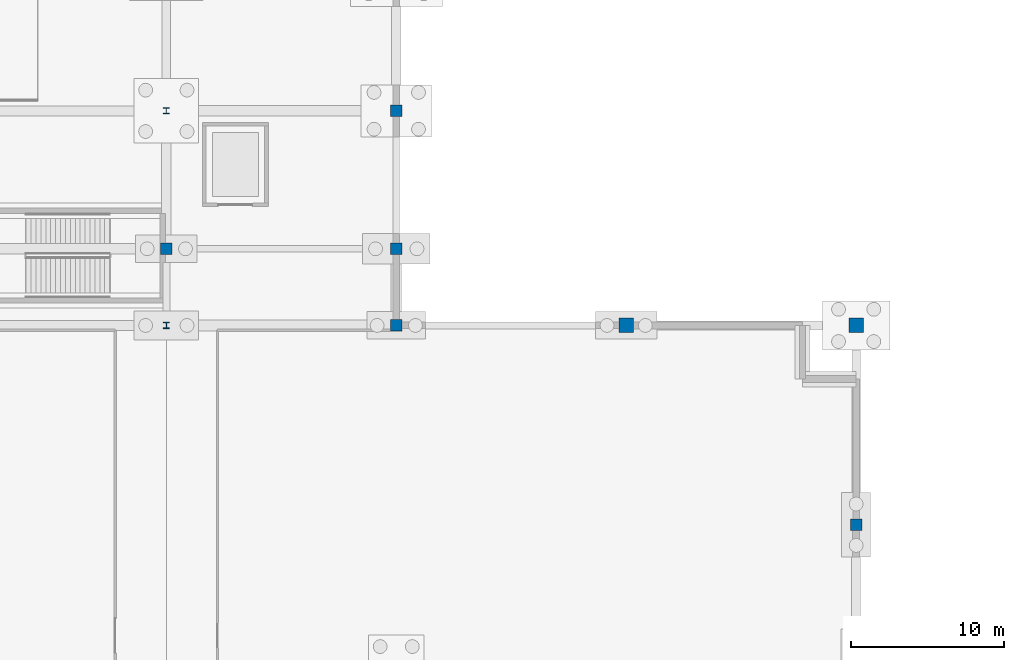
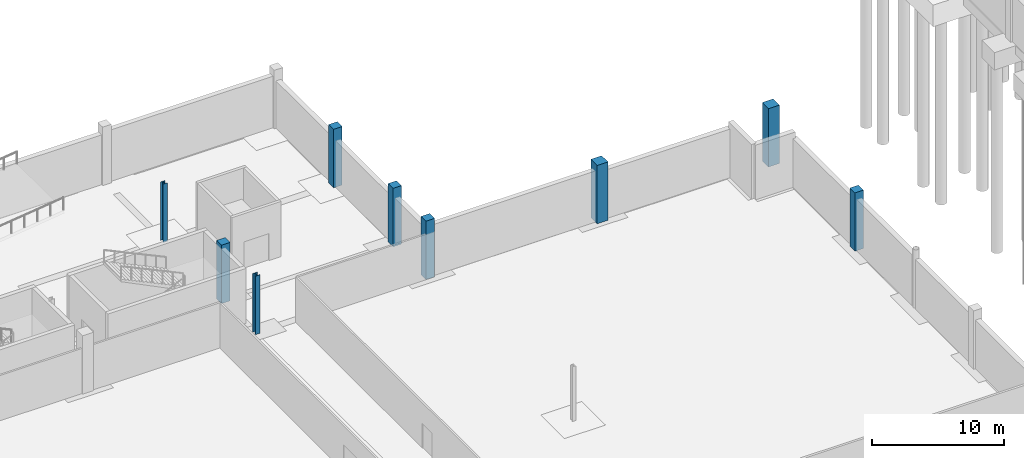
# One storey, part 25 of 58: 9 columns.
"""IFC4 building model written with IfcOpenShell, lengths in metres."""

from ifc_helpers import new_model, si_unit, direction, frame, origin, origin_2d, place, context, subcontext, project, spatial, rectangle, i_section, extrude, material, material_profile, profile_set, type_object, element, save


model = new_model("IFC4")

# Units and contexts
model_context = context("Model", 3, precision=1e-05, world=origin(), true_north=direction((0.0, 1.0)))
body_context = subcontext(model_context, "Body", "Model", "MODEL_VIEW")
ifc_project = project(units=[si_unit("LENGTHUNIT", "METRE"), si_unit("AREAUNIT", "SQUARE_METRE"), si_unit("VOLUMEUNIT", "CUBIC_METRE"), si_unit("PLANEANGLEUNIT", "RADIAN"), si_unit("MASSUNIT", "GRAM", prefix="KILO")], contexts=[model_context])

# Site, building, storey
site_placement = place(None, origin())
site = spatial("IfcSite", under=ifc_project, at=site_placement, CompositionType="ELEMENT")
building_placement = place(site_placement, origin())
building = spatial("IfcBuilding", under=site, at=building_placement, Name="Qamarlyn Nura Convention Centre", CompositionType="ELEMENT")
storey_placement = place(building_placement, frame((0.0, 0.0, -5.39990234375)))
storey = spatial("IfcBuildingStorey", under=building, at=storey_placement, Name="B01", CompositionType="ELEMENT", Elevation=-5.39990234375)

# Columns
ifc_material_1 = material(Name="Concrete C50/60", Category="concrete")
ifc_material_profile_1 = material_profile(ifc_material_1, rectangle(XDim=0.949951171875, YDim=0.949951171875, at=origin_2d()), Name="RC 950x950")
ifc_profile_set_1 = profile_set([ifc_material_profile_1], Name="Concrete C50/60")
column_type_1 = type_object("IfcColumnType", Name="COL-HALL-2", PredefinedType="COLUMN", material=ifc_profile_set_1)
for number, where, z_axis, x_axis, name in (
    (1, (105.0, 103.0, 0.0), (0.0, 0.0, 1.0), (1.0, 0.0, 0.0), "B01 column 8/M"),
    (2, (120.0, 103.0, 0.0), (0.0, 0.0, 1.0), (1.0, 0.0, 0.0), "B01 column 9/M"),
):
    element("IfcColumn", number, at=place(storey_placement, frame(where, z_axis=z_axis, x_axis=x_axis)), inside=storey, type_object=column_type_1, Name=name, PredefinedType="COLUMN", context=body_context, shape_type="SweptSolid", body=[
        extrude(rectangle(XDim=0.949951171875, YDim=0.949951171875, at=origin_2d()), origin(), (0.0, 0.0, 1.0), 5.39990234375),
    ])
ifc_material_2 = material(Name="Steel ASTM A992", Category="steel")
ifc_material_profile_2 = material_profile(ifc_material_2, i_section(OverallWidth=0.408935546875, OverallDepth=0.425048828125, WebThickness=0.030517578125, FlangeThickness=0.049072265625, FilletRadius=0.02001953125, at=origin_2d()), Name="W360X421")
ifc_profile_set_2 = profile_set([ifc_material_profile_2], Name="Steel ASTM A992")
column_type_2 = type_object("IfcColumnType", Name="COL-MEGA-1", PredefinedType="COLUMN", material=ifc_profile_set_2)
column_1_placement = place(storey_placement, frame((75.0, 103.0, 0.0), z_axis=(0.0, 0.0, 1.0), x_axis=(1.0, 0.0, 0.0)))
element("IfcColumn", 3, at=column_1_placement, inside=storey, type_object=column_type_2, Name="B01 column 6/M", PredefinedType="COLUMN", context=body_context, shape_type="SweptSolid", body=[
    extrude(i_section(OverallWidth=0.408935546875, OverallDepth=0.425048828125, WebThickness=0.030517578125, FlangeThickness=0.049072265625, FilletRadius=0.02001953125, at=origin_2d()), origin(), (0.0, 0.0, 1.0), 5.39990234375),
])
ifc_material_profile_3 = material_profile(ifc_material_1, rectangle(XDim=0.75, YDim=0.75, at=origin_2d()), Name="RC 750x750")
ifc_profile_set_3 = profile_set([ifc_material_profile_3], Name="Concrete C50/60")
column_type_3 = type_object("IfcColumnType", Name="COL-SUB-2", PredefinedType="COLUMN", material=ifc_profile_set_3)
for number, where, z_axis, x_axis, name in (
    (4, (75.0, 108.0, 0.0), (0.0, 0.0, 1.0), (1.0, 0.0, 0.0), "B01 column 6/N"),
    (5, (90.0, 103.0, 0.0), (0.0, 0.0, 1.0), (1.0, 0.0, 0.0), "B01 column 7/M"),
    (6, (90.0, 108.0, 0.0), (0.0, 0.0, 1.0), (1.0, 0.0, 0.0), "B01 column 7/N"),
    (7, (90.0, 117.0, 0.0), (0.0, 0.0, 1.0), (1.0, 0.0, 0.0), "B01 column 7/P"),
    (8, (120.0, 90.0, 0.0), (0.0, 0.0, 1.0), (1.0, 0.0, 0.0), "B01 column 9/L"),
):
    element("IfcColumn", number, at=place(storey_placement, frame(where, z_axis=z_axis, x_axis=x_axis)), inside=storey, type_object=column_type_3, Name=name, PredefinedType="COLUMN", context=body_context, shape_type="SweptSolid", body=[
        extrude(rectangle(XDim=0.75, YDim=0.75, at=origin_2d()), origin(), (0.0, 0.0, 1.0), 5.39990234375),
    ])
ifc_material_profile_4 = material_profile(ifc_material_2, i_section(OverallWidth=0.3740234375, OverallDepth=0.3720703125, WebThickness=0.016357421875, FlangeThickness=0.026123046875, FilletRadius=0.01611328125, at=origin_2d()), Name="W360X196")
ifc_profile_set_4 = profile_set([ifc_material_profile_4], Name="Steel ASTM A992")
column_type_4 = type_object("IfcColumnType", Name="COL-WING-2", PredefinedType="COLUMN", material=ifc_profile_set_4)
column_2_placement = place(storey_placement, frame((75.0, 117.0, 0.0), z_axis=(0.0, 0.0, 1.0), x_axis=(1.0, 0.0, 0.0)))
element("IfcColumn", 9, at=column_2_placement, inside=storey, type_object=column_type_4, Name="B01 column 6/P", PredefinedType="COLUMN", context=body_context, shape_type="SweptSolid", body=[
    extrude(i_section(OverallWidth=0.3740234375, OverallDepth=0.3720703125, WebThickness=0.016357421875, FlangeThickness=0.026123046875, FilletRadius=0.01611328125, at=origin_2d()), origin(), (0.0, 0.0, 1.0), 5.39990234375),
])

save(model, "model.ifc")
